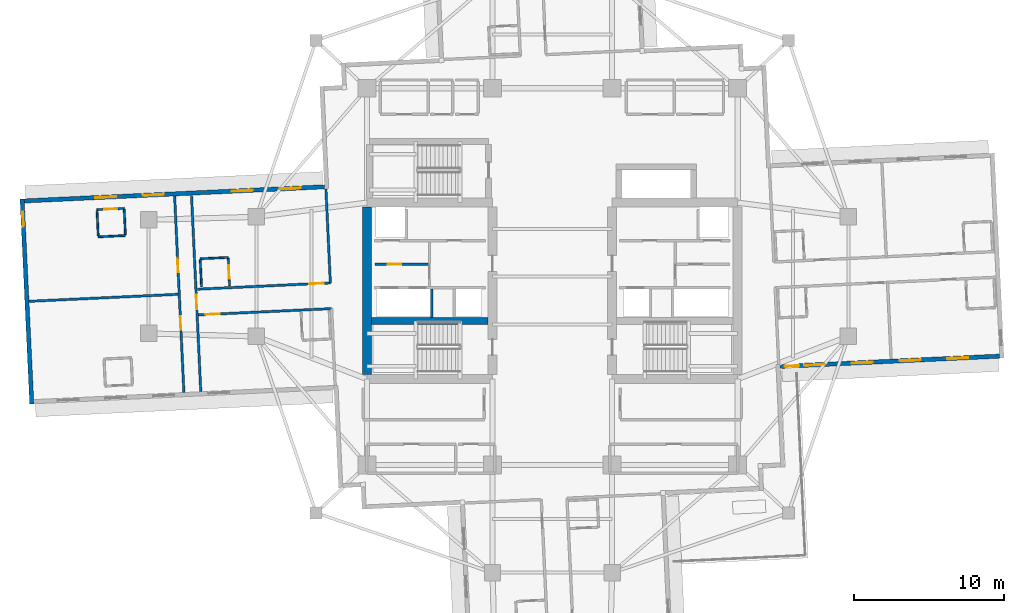
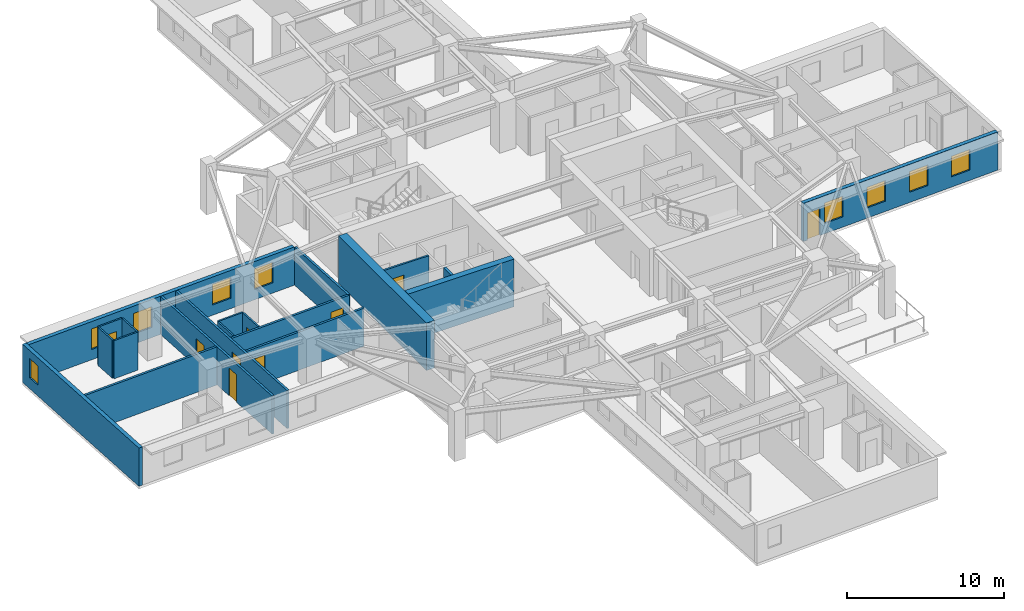
# One storey, part 5 of 14: 20 walls, 9 doors, 9 windows, 18 openings.
"""IFC4 building model written with IfcOpenShell, lengths in metres."""

from ifc_helpers import new_model, si_unit, direction, frame, frame_2d, origin, place, context, subcontext, project, spatial, rectangle, extrude, material, layer, layer_set, type_object, element, fill, save


model = new_model("IFC4")

# Units and contexts
model_context = context("Model", 3, precision=1e-05, world=origin(), true_north=direction((0.0, 1.0)))
body_context = subcontext(model_context, "Body", "Model", "MODEL_VIEW")
ifc_project = project(units=[si_unit("LENGTHUNIT", "METRE"), si_unit("AREAUNIT", "SQUARE_METRE"), si_unit("VOLUMEUNIT", "CUBIC_METRE"), si_unit("PLANEANGLEUNIT", "RADIAN"), si_unit("MASSUNIT", "GRAM", prefix="KILO")], contexts=[model_context])

# Site, building, storey
site_placement = place(None, origin())
site = spatial("IfcSite", under=ifc_project, at=site_placement, CompositionType="ELEMENT")
building_placement = place(site_placement, origin())
building = spatial("IfcBuilding", under=site, at=building_placement, Name="Qingluan Cross Belvedere", CompositionType="ELEMENT")
storey_placement = place(building_placement, frame((0.0, 0.0, 116.39990234375)))
storey = spatial("IfcBuildingStorey", under=building, at=storey_placement, Name="L29", CompositionType="ELEMENT", Elevation=116.39990234375)

# Walls
ifc_material_1 = material(Name="Concrete C50", Category="concrete")
ifc_layer_1 = layer(ifc_material_1, 0.449951171875, Name="CoreShearWall_450")
ifc_layer_set_1 = layer_set([ifc_layer_1], Name="Concrete C50")
wall_type_1 = type_object("IfcWallType", Name="CoreShearWall_450", PredefinedType="SHEAR", material=ifc_layer_set_1)
wall_1_placement = place(storey_placement, frame((-12.094970703125, -2.9599609375, 0.0), z_axis=(0.0, 0.0, 1.0), x_axis=(1.0, 0.0, 0.0)))
element("IfcWall", 1, at=wall_1_placement, inside=storey, type_object=wall_type_1, Name="Split core W shear wall L29-M", PredefinedType="SHEAR", context=body_context, shape_type="SweptSolid", body=[
    extrude(rectangle(XDim=7.7900390625, YDim=0.449951171875, at=frame_2d((3.89501953125, 0.0))), origin(), (0.0, 0.0, 1.0), 3.7001953125),
])
ifc_material_2 = material(Name="Concrete C60", Category="concrete")
ifc_layer_2 = layer(ifc_material_2, 0.60009765625, Name="CoreShearWall_600")
ifc_layer_set_2 = layer_set([ifc_layer_2], Name="Concrete C60")
wall_type_2 = type_object("IfcWallType", Name="CoreShearWall_600", PredefinedType="SHEAR", material=ifc_layer_set_2)
wall_2_placement = place(storey_placement, frame((-12.39990234375, -6.544921875, 0.0), z_axis=(0.0, 0.0, 1.0), x_axis=(0.0, 1.0, 0.0)))
element("IfcWall", 2, at=wall_2_placement, inside=storey, type_object=wall_type_2, Name="Split core W shear wall L29-W", PredefinedType="SHEAR", context=body_context, shape_type="SweptSolid", body=[
    extrude(rectangle(XDim=11.18994140625, YDim=0.60009765625, at=frame_2d((5.594970703125, 0.0))), origin(), (0.0, 0.0, 1.0), 3.7001953125),
])

# Wall, opening, door
ifc_material_3 = material(Name="Gypsum plasterboard on steel stud acoustic partition", Category="steel")
ifc_layer_3 = layer(ifc_material_3, 0.159912109375, Name="CorridorPartition_160")
ifc_layer_set_3 = layer_set([ifc_layer_3], Name="Gypsum plasterboard on steel stud acoustic partition")
wall_type_3 = type_object("IfcWallType", Name="CorridorPartition_160", PredefinedType="PARTITIONING", material=ifc_layer_set_3)
wall_3_placement = place(storey_placement, frame((-11.85009765625, 0.830078125, 0.0), z_axis=(0.0, 0.0, 1.0), x_axis=(1.0, 0.0, 0.0)))
wall_3 = element("IfcWall", 3, at=wall_3_placement, inside=storey, type_object=wall_type_3, Name="Partition L29:w", PredefinedType="PARTITIONING", context=body_context, shape_type="SweptSolid", body=[
    extrude(rectangle(XDim=3.552001953125, YDim=0.139892578125, at=frame_2d((1.77587890625, 0.0))), origin(), (0.0, 0.0, 1.0), 2.960205078125),
])
opening_1_placement = place(wall_3_placement, frame((0.85009765625, 0.0, 0.0)))
opening_1 = element("IfcOpeningElement", 4, at=opening_1_placement, cuts=wall_3, Name="Opening FD-B10", PredefinedType="OPENING", context=body_context, shape_type="SweptSolid", body=[
    extrude(rectangle(XDim=0.8798828125, YDim=2.10009765625, at=frame_2d((0.43994140625, 1.050048828125))), frame((0.0, 0.079833984375, 0.0), z_axis=(0.0, -1.0, 0.0), x_axis=(1.0, 0.0, 0.0)), (0.0, 0.0, 1.0), 0.159912109375),
])
ifc_material_4 = material(Name="Steel Class B service fire door", Category="steel")
door_type_1 = type_object("IfcDoorType", Name="RiserServiceFireDoor_FDB", OperationType="NOTDEFINED", PredefinedType="DOOR", material=ifc_material_4)
door_1_placement = place(opening_1_placement, origin())
door_1 = element("IfcDoor", 5, at=door_1_placement, inside=storey, type_object=door_type_1, Name="Service closet inner door L29", OperationType="SINGLE_SWING_RIGHT", OverallHeight=2.10009765625, OverallWidth=0.8798828125, PredefinedType="DOOR", context=body_context, shape_type="SweptSolid", body=[
    extrude(rectangle(XDim=0.8798828125, YDim=2.10009765625, at=frame_2d((0.43994140625, 1.050048828125))), frame((0.0, 0.02490234375, 0.0), z_axis=(0.0, -1.0, 0.0), x_axis=(1.0, 0.0, 0.0)), (0.0, 0.0, 1.0), 0.050048828125),
])
fill(opening_1, door_1)

wall_4_placement = place(storey_placement, frame((-14.8466796875, -0.419921875, 0.0), z_axis=(0.0, 0.0, 1.0), x_axis=(-0.99889018556, -0.047099864025, 0.0)))
wall_4 = element("IfcWall", 6, at=wall_4_placement, inside=storey, type_object=wall_type_3, Name="Partition L29:W:c0", PredefinedType="PARTITIONING", context=body_context, shape_type="SweptSolid", body=[
    extrude(rectangle(XDim=8.89990234375, YDim=0.159912109375, at=frame_2d((4.449951171875, 0.0))), origin(), (0.0, 0.0, 1.0), 2.960205078125),
])
opening_2_placement = place(wall_4_placement, frame((0.449951171875, 0.0, 0.0)))
opening_2 = element("IfcOpeningElement", 7, at=opening_2_placement, cuts=wall_4, Name="Opening GD-10", PredefinedType="OPENING", context=body_context, shape_type="SweptSolid", body=[
    extrude(rectangle(XDim=0.9599609375, YDim=2.14990234375, at=frame_2d((0.47998046875, 1.074951171875))), frame((0.0, 0.08984375, 0.0), z_axis=(0.0, -1.0, 0.0), x_axis=(1.0, 0.0, 0.0)), (0.0, 0.0, 1.0), 0.179931640625),
])
ifc_material_5 = material(Name="Timber oak fire-rated acoustic guestroom door", Category="wood")
door_type_2 = type_object("IfcDoorType", Name="GuestEntryDoor_FD60", OperationType="NOTDEFINED", PredefinedType="DOOR", material=ifc_material_5)
door_2_placement = place(opening_2_placement, origin())
door_2 = element("IfcDoor", 8, at=door_2_placement, inside=storey, type_object=door_type_2, Name="Guest entry fire door 2905", OperationType="SINGLE_SWING_RIGHT", OverallHeight=2.14990234375, OverallWidth=0.9599609375, PredefinedType="DOOR", context=body_context, shape_type="SweptSolid", body=[
    extrude(rectangle(XDim=0.9599609375, YDim=2.14990234375, at=frame_2d((0.47998046875, 1.074951171875))), frame((0.0, 0.02490234375, 0.0), z_axis=(0.0, -1.0, 0.0), x_axis=(1.0, 0.0, 0.0)), (0.0, 0.0, 1.0), 0.050048828125),
])
fill(opening_2, door_2)

# Wall
wall_5_placement = place(storey_placement, frame((-14.8466796875, -0.419921875, 0.0), z_axis=(0.0, 0.0, 1.0), x_axis=(-0.047104274115, 0.998889977605, 0.0)))
element("IfcWall", 9, at=wall_5_placement, inside=storey, type_object=wall_type_3, Name="Partition L29:W:s0", PredefinedType="PARTITIONING", context=body_context, shape_type="SweptSolid", body=[
    extrude(rectangle(XDim=6.292236328125, YDim=0.159912109375, at=frame_2d((3.14599609375, 0.0))), origin(), (0.0, 0.0, 1.0), 2.960205078125),
])

# Wall, opening, door
wall_6_placement = place(storey_placement, frame((-14.765625, -2.137939453125, 0.0), z_axis=(0.0, 0.0, 1.0), x_axis=(-0.99889018556, -0.047099864025, 0.0)))
wall_6 = element("IfcWall", 10, at=wall_6_placement, inside=storey, type_object=wall_type_3, Name="Partition L29:W:c1", PredefinedType="PARTITIONING", context=body_context, shape_type="SweptSolid", body=[
    extrude(rectangle(XDim=8.89990234375, YDim=0.159912109375, at=frame_2d((4.449951171875, 0.0))), origin(), (0.0, 0.0, 1.0), 2.960205078125),
])
opening_3_placement = place(wall_6_placement, frame((7.5, 0.0, 0.0)))
opening_3 = element("IfcOpeningElement", 11, at=opening_3_placement, cuts=wall_6, Name="Opening GD-10", PredefinedType="OPENING", context=body_context, shape_type="SweptSolid", body=[
    extrude(rectangle(XDim=0.9599609375, YDim=2.14990234375, at=frame_2d((0.47998046875, 1.074951171875))), frame((0.0, 0.08984375, 0.0), z_axis=(0.0, -1.0, 0.0), x_axis=(1.0, 0.0, 0.0)), (0.0, 0.0, 1.0), 0.179931640625),
])
door_3_placement = place(opening_3_placement, origin())
door_3 = element("IfcDoor", 12, at=door_3_placement, inside=storey, type_object=door_type_2, Name="Guest entry fire door 2906", OperationType="SINGLE_SWING_RIGHT", OverallHeight=2.14990234375, OverallWidth=0.9599609375, PredefinedType="DOOR", context=body_context, shape_type="SweptSolid", body=[
    extrude(rectangle(XDim=0.9599609375, YDim=2.14990234375, at=frame_2d((0.47998046875, 1.074951171875))), frame((0.0, 0.02490234375, 0.0), z_axis=(0.0, -1.0, 0.0), x_axis=(1.0, 0.0, 0.0)), (0.0, 0.0, 1.0), 0.050048828125),
])
fill(opening_3, door_3)

wall_7_placement = place(storey_placement, frame((-23.513916015625, -7.688232421875, 0.0), z_axis=(0.0, 0.0, 1.0), x_axis=(-0.047123017412, 0.998889093558, 0.0)))
wall_7 = element("IfcWall", 13, at=wall_7_placement, inside=storey, type_object=wall_type_3, Name="Partition L29:Wcap:in", PredefinedType="PARTITIONING", context=body_context, shape_type="SweptSolid", body=[
    extrude(rectangle(XDim=13.14404296875, YDim=0.159912109375, at=frame_2d((6.572021484375, 0.0))), origin(), (0.0, 0.0, 1.0), 2.960205078125),
])
opening_4_placement = place(wall_7_placement, frame((5.511962890625, 0.0, 0.0)))
opening_4 = element("IfcOpeningElement", 14, at=opening_4_placement, cuts=wall_7, Name="Opening GD-10", PredefinedType="OPENING", context=body_context, shape_type="SweptSolid", body=[
    extrude(rectangle(XDim=0.9599609375, YDim=2.14990234375, at=frame_2d((0.47998046875, 1.074951171875))), frame((0.0, 0.08984375, 0.0), z_axis=(0.0, -1.0, 0.0), x_axis=(1.0, 0.0, 0.0)), (0.0, 0.0, 1.0), 0.179931640625),
])
door_4_placement = place(opening_4_placement, origin())
door_4 = element("IfcDoor", 15, at=door_4_placement, inside=storey, type_object=door_type_2, Name="Corner gallery fire door L29W", OperationType="SINGLE_SWING_LEFT", OverallHeight=2.14990234375, OverallWidth=0.9599609375, PredefinedType="DOOR", context=body_context, shape_type="SweptSolid", body=[
    extrude(rectangle(XDim=0.9599609375, YDim=2.14990234375, at=frame_2d((0.47998046875, 1.074951171875))), frame((0.0, 0.02490234375, 0.0), z_axis=(0.0, -1.0, 0.0), x_axis=(1.0, 0.0, 0.0)), (0.0, 0.0, 1.0), 0.050048828125),
])
fill(opening_4, door_4)

# Wall, openings, doors
wall_8_placement = place(storey_placement, frame((-24.642578125, -7.741455078125, 0.0), z_axis=(0.0, 0.0, 1.0), x_axis=(-0.047123017412, 0.998889093558, 0.0)))
wall_8 = element("IfcWall", 16, at=wall_8_placement, inside=storey, type_object=wall_type_3, Name="Partition L29:Wcap:vw", PredefinedType="PARTITIONING", context=body_context, shape_type="SweptSolid", body=[
    extrude(rectangle(XDim=13.14404296875, YDim=0.159912109375, at=frame_2d((6.572021484375, 0.0))), origin(), (0.0, 0.0, 1.0), 2.960205078125),
])
opening_5_placement = place(wall_8_placement, frame((4.201904296875, 0.0, 0.0)))
opening_5 = element("IfcOpeningElement", 17, at=opening_5_placement, cuts=wall_8, Name="Opening GD-09", PredefinedType="OPENING", context=body_context, shape_type="SweptSolid", body=[
    extrude(rectangle(XDim=0.89990234375, YDim=2.14990234375, at=frame_2d((0.449951171875, 1.074951171875))), frame((0.0, 0.08984375, 0.0), z_axis=(0.0, -1.0, 0.0), x_axis=(1.0, 0.0, 0.0)), (0.0, 0.0, 1.0), 0.179931640625),
])
opening_6_placement = place(wall_8_placement, frame((8.0419921875, 0.0, 0.0)))
opening_6 = element("IfcOpeningElement", 18, at=opening_6_placement, cuts=wall_8, Name="Opening GD-09", PredefinedType="OPENING", context=body_context, shape_type="SweptSolid", body=[
    extrude(rectangle(XDim=0.89990234375, YDim=2.14990234375, at=frame_2d((0.449951171875, 1.074951171875))), frame((0.0, 0.08984375, 0.0), z_axis=(0.0, -1.0, 0.0), x_axis=(1.0, 0.0, 0.0)), (0.0, 0.0, 1.0), 0.179931640625),
])
ifc_material_6 = material(Name="Timber oak fire-rated corner room door", Category="wood")
door_type_3 = type_object("IfcDoorType", Name="CornerRoomDoor_FD60", OperationType="NOTDEFINED", PredefinedType="DOOR", material=ifc_material_6)
door_5_placement = place(opening_5_placement, origin())
door_5 = element("IfcDoor", 19, at=door_5_placement, inside=storey, type_object=door_type_3, Name="Deluxe corner room door L29W1", OperationType="SINGLE_SWING_RIGHT", OverallHeight=2.14990234375, OverallWidth=0.89990234375, PredefinedType="DOOR", context=body_context, shape_type="SweptSolid", body=[
    extrude(rectangle(XDim=0.89990234375, YDim=2.14990234375, at=frame_2d((0.449951171875, 1.074951171875))), frame((0.0, 0.02490234375, 0.0), z_axis=(0.0, -1.0, 0.0), x_axis=(1.0, 0.0, 0.0)), (0.0, 0.0, 1.0), 0.050048828125),
])
fill(opening_5, door_5)
door_6_placement = place(opening_6_placement, origin())
door_6 = element("IfcDoor", 20, at=door_6_placement, inside=storey, type_object=door_type_3, Name="Deluxe corner room door L29W2", OperationType="SINGLE_SWING_LEFT", OverallHeight=2.14990234375, OverallWidth=0.89990234375, PredefinedType="DOOR", context=body_context, shape_type="SweptSolid", body=[
    extrude(rectangle(XDim=0.89990234375, YDim=2.14990234375, at=frame_2d((0.449951171875, 1.074951171875))), frame((0.0, 0.02490234375, 0.0), z_axis=(0.0, -1.0, 0.0), x_axis=(1.0, 0.0, 0.0)), (0.0, 0.0, 1.0), 0.050048828125),
])
fill(opening_6, door_6)

# Wall
wall_9_placement = place(storey_placement, frame((-25.042236328125, -1.180908203125, 0.0), z_axis=(0.0, 0.0, 1.0), x_axis=(-0.99889004291, -0.047102889239, 0.0)))
element("IfcWall", 21, at=wall_9_placement, inside=storey, type_object=wall_type_3, Name="Partition L29:Wcap:mid", PredefinedType="PARTITIONING", context=body_context, shape_type="SweptSolid", body=[
    extrude(rectangle(XDim=9.9619140625, YDim=0.159912109375, at=frame_2d((4.98095703125, 0.0))), origin(), (0.0, 0.0, 1.0), 2.960205078125),
])

# Wall, opening, door
ifc_material_7 = material(Name="Moisture-resistant gypsum board lining")
ifc_layer_4 = layer(ifc_material_7, 0.1201171875, Name="EnsuiteWetPartition_120")
ifc_layer_set_4 = layer_set([ifc_layer_4], Name="Moisture-resistant gypsum board lining")
wall_type_4 = type_object("IfcWallType", Name="EnsuiteWetPartition_120", PredefinedType="PARTITIONING", material=ifc_layer_set_4)
wall_10_placement = place(storey_placement, frame((-21.585693359375, -0.597412109375, 0.0), z_axis=(0.0, 0.0, 1.0), x_axis=(-0.047220968666, 0.998884467853, 0.0)))
wall_10 = element("IfcWall", 22, at=wall_10_placement, inside=storey, type_object=wall_type_4, Name="Partition L29:W:bs0_0", PredefinedType="PARTITIONING", context=body_context, shape_type="SweptSolid", body=[
    extrude(rectangle(XDim=1.81982421875, YDim=0.1201171875, at=frame_2d((0.909912109375, 0.0))), origin(), (0.0, 0.0, 1.0), 2.960205078125),
])
opening_7_placement = place(wall_10_placement, frame((0.469970703125, 0.0, 0.0)))
opening_7 = element("IfcOpeningElement", 23, at=opening_7_placement, cuts=wall_10, Name="Opening BD-09", PredefinedType="OPENING", context=body_context, shape_type="SweptSolid", body=[
    extrude(rectangle(XDim=0.8798828125, YDim=2.10009765625, at=frame_2d((0.43994140625, 1.050048828125))), frame((0.0, 0.070068359375, 0.0), z_axis=(0.0, -1.0, 0.0), x_axis=(1.0, 0.0, 0.0)), (0.0, 0.0, 1.0), 0.14013671875),
])
ifc_material_8 = material(Name="Moisture-sealed timber en-suite door", Category="wood")
door_type_4 = type_object("IfcDoorType", Name="BathroomDoor_880", OperationType="NOTDEFINED", PredefinedType="DOOR", material=ifc_material_8)
door_7_placement = place(opening_7_placement, origin())
door_7 = element("IfcDoor", 24, at=door_7_placement, inside=storey, type_object=door_type_4, Name="Bathroom door 2905", OperationType="SINGLE_SWING_LEFT", OverallHeight=2.10009765625, OverallWidth=0.8798828125, PredefinedType="DOOR", context=body_context, shape_type="SweptSolid", body=[
    extrude(rectangle(XDim=0.8798828125, YDim=2.10009765625, at=frame_2d((0.43994140625, 1.050048828125))), frame((0.0, 0.02490234375, 0.0), z_axis=(0.0, -1.0, 0.0), x_axis=(1.0, 0.0, 0.0)), (0.0, 0.0, 1.0), 0.050048828125),
])
fill(opening_7, door_7)

# Walls
wall_11_placement = place(storey_placement, frame((-23.463623046875, -0.68603515625, 0.0), z_axis=(0.0, 0.0, 1.0), x_axis=(-0.047220968666, 0.998884467853, 0.0)))
element("IfcWall", 25, at=wall_11_placement, inside=storey, type_object=wall_type_4, Name="Partition L29:W:bw0_0", PredefinedType="PARTITIONING", context=body_context, shape_type="SweptSolid", body=[
    extrude(rectangle(XDim=1.81982421875, YDim=0.1201171875, at=frame_2d((0.909912109375, 0.0))), origin(), (0.0, 0.0, 1.0), 2.960205078125),
])
wall_12_placement = place(storey_placement, frame((-21.674560546875, 1.285400390625, 0.0), z_axis=(0.0, 0.0, 1.0), x_axis=(-0.998894425757, -0.04700985207, 0.0)))
element("IfcWall", 26, at=wall_12_placement, inside=storey, type_object=wall_type_4, Name="Partition L29:W:bn0_0", PredefinedType="PARTITIONING", context=body_context, shape_type="SweptSolid", body=[
    extrude(rectangle(XDim=1.880126953125, YDim=0.1201171875, at=frame_2d((0.93994140625, 0.0))), origin(), (0.0, 0.0, 1.0), 2.960205078125),
])
for number, where, z_axis, x_axis, name in (
    (27, (-28.553955078125, 2.80810546875, 0.0), (0.0, 0.0, 1.0), (-0.047107959116, 0.998889803826, 0.0), "Partition L29:Wcap:b2a"),
    (28, (-30.3720703125, 2.722412109375, 0.0), (0.0, 0.0, 1.0), (-0.046964654557, 0.998896551812, 0.0), "Partition L29:Wcap:b2b"),
):
    element("IfcWall", number, at=place(storey_placement, frame(where, z_axis=z_axis, x_axis=x_axis)), inside=storey, type_object=wall_type_4, Name=name, PredefinedType="PARTITIONING", context=body_context, shape_type="SweptSolid", body=[
        extrude(rectangle(XDim=1.699951171875, YDim=0.1201171875, at=frame_2d((0.85009765625, 0.0))), origin(), (0.0, 0.0, 1.0), 2.960205078125),
    ])
wall_13_placement = place(storey_placement, frame((-28.551025390625, 2.748046875, 0.0), z_axis=(0.0, 0.0, 1.0), x_axis=(-0.998891083954, -0.047080807099, 0.0)))
element("IfcWall", 29, at=wall_13_placement, inside=storey, type_object=wall_type_4, Name="Partition L29:Wcap:b2s", PredefinedType="PARTITIONING", context=body_context, shape_type="SweptSolid", body=[
    extrude(rectangle(XDim=1.820068359375, YDim=0.1201171875, at=frame_2d((0.91015625, 0.0))), origin(), (0.0, 0.0, 1.0), 2.960205078125),
])

# Wall, opening, door
wall_14_placement = place(storey_placement, frame((-28.636962890625, 4.566162109375, 0.0), z_axis=(0.0, 0.0, 1.0), x_axis=(-0.998890786574, -0.047087116047, 0.0)))
wall_14 = element("IfcWall", 30, at=wall_14_placement, inside=storey, type_object=wall_type_4, Name="Partition L29:Wcap:b2n", PredefinedType="PARTITIONING", context=body_context, shape_type="SweptSolid", body=[
    extrude(rectangle(XDim=1.81982421875, YDim=0.1201171875, at=frame_2d((0.909912109375, 0.0))), origin(), (0.0, 0.0, 1.0), 2.960205078125),
])
opening_8_placement = place(wall_14_placement, frame((0.449951171875, 0.0, 0.0)))
opening_8 = element("IfcOpeningElement", 31, at=opening_8_placement, cuts=wall_14, Name="Opening BD-09", PredefinedType="OPENING", context=body_context, shape_type="SweptSolid", body=[
    extrude(rectangle(XDim=0.8798828125, YDim=2.10009765625, at=frame_2d((0.43994140625, 1.050048828125))), frame((0.0, 0.070068359375, 0.0), z_axis=(0.0, -1.0, 0.0), x_axis=(1.0, 0.0, 0.0)), (0.0, 0.0, 1.0), 0.14013671875),
])
door_8_placement = place(opening_8_placement, origin())
door_8 = element("IfcDoor", 32, at=door_8_placement, inside=storey, type_object=door_type_4, Name="En-suite bathroom door L29W2", OperationType="SINGLE_SWING_RIGHT", OverallHeight=2.10009765625, OverallWidth=0.8798828125, PredefinedType="DOOR", context=body_context, shape_type="SweptSolid", body=[
    extrude(rectangle(XDim=0.8798828125, YDim=2.10009765625, at=frame_2d((0.43994140625, 1.050048828125))), frame((0.0, 0.02490234375, 0.0), z_axis=(0.0, -1.0, 0.0), x_axis=(1.0, 0.0, 0.0)), (0.0, 0.0, 1.0), 0.050048828125),
])
fill(opening_8, door_8)

# Wall, openings, windows, door
ifc_material_9 = material(Name="Precast concrete C45", Category="concrete")
ifc_layer_5 = layer(ifc_material_9, 0.280029296875, Name="PrecastFacadeWall_280")
ifc_layer_set_5 = layer_set([ifc_layer_5], Name="Precast concrete C45")
wall_type_5 = type_object("IfcWallType", Name="PrecastFacadeWall_280", PredefinedType="STANDARD", material=ifc_layer_set_5)
wall_15_placement = place(storey_placement, frame((15.239990234375, -6.0087890625, 0.0), z_axis=(0.0, 0.0, 1.0), x_axis=(0.998890124275, 0.047101163748, 0.0)))
wall_15 = element("IfcWall", 33, at=wall_15_placement, inside=storey, type_object=wall_type_5, Name="Facade wall L29-EA", PredefinedType="STANDARD", context=body_context, shape_type="SweptSolid", body=[
    extrude(rectangle(XDim=14.699951171875, YDim=0.280029296875, at=frame_2d((7.35009765625, 0.0))), origin(), (0.0, 0.0, 1.0), 2.97021484375),
])
opening_9_placement = place(wall_15_placement, frame((1.60009765625, 0.0, 0.800048828125)))
opening_9 = element("IfcOpeningElement", 34, at=opening_9_placement, cuts=wall_15, Name="Opening W-01", PredefinedType="OPENING", context=body_context, shape_type="SweptSolid", body=[
    extrude(rectangle(XDim=1.39990234375, YDim=1.60009765625, at=frame_2d((0.699951171875, 0.800048828125))), frame((0.0, 0.14990234375, 0.0), z_axis=(0.0, -1.0, 0.0), x_axis=(1.0, 0.0, 0.0)), (0.0, 0.0, 1.0), 0.300048828125),
])
opening_10_placement = place(wall_15_placement, frame((4.800048828125, 0.0, 0.800048828125)))
opening_10 = element("IfcOpeningElement", 35, at=opening_10_placement, cuts=wall_15, Name="Opening W-01", PredefinedType="OPENING", context=body_context, shape_type="SweptSolid", body=[
    extrude(rectangle(XDim=1.39990234375, YDim=1.60009765625, at=frame_2d((0.699951171875, 0.800048828125))), frame((0.0, 0.14990234375, 0.0), z_axis=(0.0, -1.0, 0.0), x_axis=(1.0, 0.0, 0.0)), (0.0, 0.0, 1.0), 0.300048828125),
])
opening_11_placement = place(wall_15_placement, frame((8.0, 0.0, 0.800048828125)))
opening_11 = element("IfcOpeningElement", 36, at=opening_11_placement, cuts=wall_15, Name="Opening W-01", PredefinedType="OPENING", context=body_context, shape_type="SweptSolid", body=[
    extrude(rectangle(XDim=1.39990234375, YDim=1.60009765625, at=frame_2d((0.699951171875, 0.800048828125))), frame((0.0, 0.14990234375, 0.0), z_axis=(0.0, -1.0, 0.0), x_axis=(1.0, 0.0, 0.0)), (0.0, 0.0, 1.0), 0.300048828125),
])
opening_12_placement = place(wall_15_placement, frame((11.199951171875, 0.0, 0.800048828125)))
opening_12 = element("IfcOpeningElement", 37, at=opening_12_placement, cuts=wall_15, Name="Opening W-01", PredefinedType="OPENING", context=body_context, shape_type="SweptSolid", body=[
    extrude(rectangle(XDim=1.39990234375, YDim=1.60009765625, at=frame_2d((0.699951171875, 0.800048828125))), frame((0.0, 0.14990234375, 0.0), z_axis=(0.0, -1.0, 0.0), x_axis=(1.0, 0.0, 0.0)), (0.0, 0.0, 1.0), 0.300048828125),
])
opening_13_placement = place(wall_15_placement, frame((0.300048828125, 0.0, 0.0)))
opening_13 = element("IfcOpeningElement", 38, at=opening_13_placement, cuts=wall_15, Name="Opening WD-10", PredefinedType="OPENING", context=body_context, shape_type="SweptSolid", body=[
    extrude(rectangle(XDim=0.9599609375, YDim=2.10009765625, at=frame_2d((0.47998046875, 1.050048828125))), frame((0.0, 0.14990234375, 0.0), z_axis=(0.0, -1.0, 0.0), x_axis=(1.0, 0.0, 0.0)), (0.0, 0.0, 1.0), 0.300048828125),
])
ifc_material_10 = material(Name="Thermally broken triple Low-E glass in aluminium frame", Category="aluminium")
window_type_1 = type_object("IfcWindowType", Name="TriRibbonWin_1400x1600", PartitioningType="SINGLE_PANEL", PredefinedType="WINDOW", material=ifc_material_10)
window_1_placement = place(opening_9_placement, origin())
window_1 = element("IfcWindow", 39, at=window_1_placement, inside=storey, type_object=window_type_1, Name="Ribbon window L29-EA-1", OverallHeight=1.60009765625, OverallWidth=1.39990234375, PartitioningType="SINGLE_PANEL", PredefinedType="WINDOW", context=body_context, shape_type="SweptSolid", body=[
    extrude(rectangle(XDim=1.39990234375, YDim=1.60009765625, at=frame_2d((0.699951171875, 0.800048828125))), frame((0.0, 0.030029296875, 0.0), z_axis=(0.0, -1.0, 0.0), x_axis=(1.0, 0.0, 0.0)), (0.0, 0.0, 1.0), 0.06005859375),
])
fill(opening_9, window_1)
window_2_placement = place(opening_10_placement, origin())
window_2 = element("IfcWindow", 40, at=window_2_placement, inside=storey, type_object=window_type_1, Name="Ribbon window L29-EA-2", OverallHeight=1.60009765625, OverallWidth=1.39990234375, PartitioningType="SINGLE_PANEL", PredefinedType="WINDOW", context=body_context, shape_type="SweptSolid", body=[
    extrude(rectangle(XDim=1.39990234375, YDim=1.60009765625, at=frame_2d((0.699951171875, 0.800048828125))), frame((0.0, 0.030029296875, 0.0), z_axis=(0.0, -1.0, 0.0), x_axis=(1.0, 0.0, 0.0)), (0.0, 0.0, 1.0), 0.06005859375),
])
fill(opening_10, window_2)
window_3_placement = place(opening_11_placement, origin())
window_3 = element("IfcWindow", 41, at=window_3_placement, inside=storey, type_object=window_type_1, Name="Ribbon window L29-EA-3", OverallHeight=1.60009765625, OverallWidth=1.39990234375, PartitioningType="SINGLE_PANEL", PredefinedType="WINDOW", context=body_context, shape_type="SweptSolid", body=[
    extrude(rectangle(XDim=1.39990234375, YDim=1.60009765625, at=frame_2d((0.699951171875, 0.800048828125))), frame((0.0, 0.030029296875, 0.0), z_axis=(0.0, -1.0, 0.0), x_axis=(1.0, 0.0, 0.0)), (0.0, 0.0, 1.0), 0.06005859375),
])
fill(opening_11, window_3)
window_4_placement = place(opening_12_placement, origin())
window_4 = element("IfcWindow", 42, at=window_4_placement, inside=storey, type_object=window_type_1, Name="Ribbon window L29-EA-4", OverallHeight=1.60009765625, OverallWidth=1.39990234375, PartitioningType="SINGLE_PANEL", PredefinedType="WINDOW", context=body_context, shape_type="SweptSolid", body=[
    extrude(rectangle(XDim=1.39990234375, YDim=1.60009765625, at=frame_2d((0.699951171875, 0.800048828125))), frame((0.0, 0.030029296875, 0.0), z_axis=(0.0, -1.0, 0.0), x_axis=(1.0, 0.0, 0.0)), (0.0, 0.0, 1.0), 0.06005859375),
])
fill(opening_12, window_4)
ifc_material_11 = material(Name="Thermally broken aluminium and Low-E glass", Category="aluminium")
door_type_5 = type_object("IfcDoorType", Name="WinterGardenDoor_096", OperationType="NOTDEFINED", PredefinedType="DOOR", material=ifc_material_11)
door_9_placement = place(opening_13_placement, origin())
door_9 = element("IfcDoor", 43, at=door_9_placement, inside=storey, type_object=door_type_5, Name="Outdoor terrace access door L29-spi", OperationType="SINGLE_SWING_LEFT", OverallHeight=2.10009765625, OverallWidth=0.9599609375, PredefinedType="DOOR", context=body_context, shape_type="SweptSolid", body=[
    extrude(rectangle(XDim=0.9599609375, YDim=2.10009765625, at=frame_2d((0.47998046875, 1.050048828125))), frame((0.0, 0.02490234375, 0.0), z_axis=(0.0, -1.0, 0.0), x_axis=(1.0, 0.0, 0.0)), (0.0, 0.0, 1.0), 0.050048828125),
])
fill(opening_13, door_9)

# Wall, openings, windows
wall_16_placement = place(storey_placement, frame((-15.239990234375, 6.0087890625, 0.0), z_axis=(0.0, 0.0, 1.0), x_axis=(-0.998890015344, -0.047103473814, 0.0)))
wall_16 = element("IfcWall", 44, at=wall_16_placement, inside=storey, type_object=wall_type_5, Name="Facade wall L29-WA", PredefinedType="STANDARD", context=body_context, shape_type="SweptSolid", body=[
    extrude(rectangle(XDim=20.099853515625, YDim=0.280029296875, at=frame_2d((10.0498046875, 0.0))), origin(), (0.0, 0.0, 1.0), 2.97021484375),
])
opening_14_placement = place(wall_16_placement, frame((1.60009765625, 0.0, 0.800048828125)))
opening_14 = element("IfcOpeningElement", 45, at=opening_14_placement, cuts=wall_16, Name="Opening W-01", PredefinedType="OPENING", context=body_context, shape_type="SweptSolid", body=[
    extrude(rectangle(XDim=1.39990234375, YDim=1.60009765625, at=frame_2d((0.699951171875, 0.800048828125))), frame((0.0, 0.14990234375, 0.0), z_axis=(0.0, -1.0, 0.0), x_axis=(1.0, 0.0, 0.0)), (0.0, 0.0, 1.0), 0.300048828125),
])
opening_15_placement = place(wall_16_placement, frame((4.800048828125, 0.0, 0.800048828125)))
opening_15 = element("IfcOpeningElement", 46, at=opening_15_placement, cuts=wall_16, Name="Opening W-01", PredefinedType="OPENING", context=body_context, shape_type="SweptSolid", body=[
    extrude(rectangle(XDim=1.39990234375, YDim=1.60009765625, at=frame_2d((0.699951171875, 0.800048828125))), frame((0.0, 0.14990234375, 0.0), z_axis=(0.0, -1.0, 0.0), x_axis=(1.0, 0.0, 0.0)), (0.0, 0.0, 1.0), 0.300048828125),
])
opening_16_placement = place(wall_16_placement, frame((10.75, 0.0, 0.800048828125)))
opening_16 = element("IfcOpeningElement", 47, at=opening_16_placement, cuts=wall_16, Name="Opening W-01", PredefinedType="OPENING", context=body_context, shape_type="SweptSolid", body=[
    extrude(rectangle(XDim=1.39990234375, YDim=1.60009765625, at=frame_2d((0.699951171875, 0.800048828125))), frame((0.0, 0.14990234375, 0.0), z_axis=(0.0, -1.0, 0.0), x_axis=(1.0, 0.0, 0.0)), (0.0, 0.0, 1.0), 0.300048828125),
])
opening_17_placement = place(wall_16_placement, frame((13.949951171875, 0.0, 0.800048828125)))
opening_17 = element("IfcOpeningElement", 48, at=opening_17_placement, cuts=wall_16, Name="Opening W-01", PredefinedType="OPENING", context=body_context, shape_type="SweptSolid", body=[
    extrude(rectangle(XDim=1.39990234375, YDim=1.60009765625, at=frame_2d((0.699951171875, 0.800048828125))), frame((0.0, 0.14990234375, 0.0), z_axis=(0.0, -1.0, 0.0), x_axis=(1.0, 0.0, 0.0)), (0.0, 0.0, 1.0), 0.300048828125),
])
window_5_placement = place(opening_14_placement, origin())
window_5 = element("IfcWindow", 49, at=window_5_placement, inside=storey, type_object=window_type_1, Name="Ribbon window L29-WA-1", OverallHeight=1.60009765625, OverallWidth=1.39990234375, PartitioningType="SINGLE_PANEL", PredefinedType="WINDOW", context=body_context, shape_type="SweptSolid", body=[
    extrude(rectangle(XDim=1.39990234375, YDim=1.60009765625, at=frame_2d((0.699951171875, 0.800048828125))), frame((0.0, 0.030029296875, 0.0), z_axis=(0.0, -1.0, 0.0), x_axis=(1.0, 0.0, 0.0)), (0.0, 0.0, 1.0), 0.06005859375),
])
fill(opening_14, window_5)
window_6_placement = place(opening_15_placement, origin())
window_6 = element("IfcWindow", 50, at=window_6_placement, inside=storey, type_object=window_type_1, Name="Ribbon window L29-WA-2", OverallHeight=1.60009765625, OverallWidth=1.39990234375, PartitioningType="SINGLE_PANEL", PredefinedType="WINDOW", context=body_context, shape_type="SweptSolid", body=[
    extrude(rectangle(XDim=1.39990234375, YDim=1.60009765625, at=frame_2d((0.699951171875, 0.800048828125))), frame((0.0, 0.030029296875, 0.0), z_axis=(0.0, -1.0, 0.0), x_axis=(1.0, 0.0, 0.0)), (0.0, 0.0, 1.0), 0.06005859375),
])
fill(opening_15, window_6)
window_7_placement = place(opening_16_placement, origin())
window_7 = element("IfcWindow", 51, at=window_7_placement, inside=storey, type_object=window_type_1, Name="Ribbon window L29-WA-3", OverallHeight=1.60009765625, OverallWidth=1.39990234375, PartitioningType="SINGLE_PANEL", PredefinedType="WINDOW", context=body_context, shape_type="SweptSolid", body=[
    extrude(rectangle(XDim=1.39990234375, YDim=1.60009765625, at=frame_2d((0.699951171875, 0.800048828125))), frame((0.0, 0.030029296875, 0.0), z_axis=(0.0, -1.0, 0.0), x_axis=(1.0, 0.0, 0.0)), (0.0, 0.0, 1.0), 0.06005859375),
])
fill(opening_16, window_7)
window_8_placement = place(opening_17_placement, origin())
window_8 = element("IfcWindow", 52, at=window_8_placement, inside=storey, type_object=window_type_1, Name="Ribbon window L29-WA-4", OverallHeight=1.60009765625, OverallWidth=1.39990234375, PartitioningType="SINGLE_PANEL", PredefinedType="WINDOW", context=body_context, shape_type="SweptSolid", body=[
    extrude(rectangle(XDim=1.39990234375, YDim=1.60009765625, at=frame_2d((0.699951171875, 0.800048828125))), frame((0.0, 0.030029296875, 0.0), z_axis=(0.0, -1.0, 0.0), x_axis=(1.0, 0.0, 0.0)), (0.0, 0.0, 1.0), 0.06005859375),
])
fill(opening_17, window_8)

# Wall, opening, window
wall_17_placement = place(storey_placement, frame((-35.464111328125, 5.1953125, 0.0), z_axis=(0.0, 0.0, 1.0), x_axis=(0.047101845086, -0.998890092147, 0.0)))
wall_17 = element("IfcWall", 53, at=wall_17_placement, inside=storey, type_object=wall_type_5, Name="Arm tip precast facade wall L29-W", PredefinedType="STANDARD", context=body_context, shape_type="SweptSolid", body=[
    extrude(rectangle(XDim=13.719970703125, YDim=0.280029296875, at=frame_2d((6.85986328125, 0.0))), origin(), (0.0, 0.0, 1.0), 2.97021484375),
])
opening_18_placement = place(wall_17_placement, frame((0.85009765625, 0.0, 0.85009765625)))
opening_18 = element("IfcOpeningElement", 54, at=opening_18_placement, cuts=wall_17, Name="Opening W-03", PredefinedType="OPENING", context=body_context, shape_type="SweptSolid", body=[
    extrude(rectangle(XDim=1.0, YDim=1.5, at=frame_2d((0.5, 0.75))), frame((0.0, 0.14990234375, 0.0), z_axis=(0.0, -1.0, 0.0), x_axis=(1.0, 0.0, 0.0)), (0.0, 0.0, 1.0), 0.300048828125),
])
ifc_material_12 = material(Name="Thermally broken triple Low-E glass in aluminium frame", Category="aluminium")
window_type_2 = type_object("IfcWindowType", Name="TriApexWin_1000x1500", PartitioningType="SINGLE_PANEL", PredefinedType="WINDOW", material=ifc_material_12)
window_9_placement = place(opening_18_placement, origin())
window_9 = element("IfcWindow", 55, at=window_9_placement, inside=storey, type_object=window_type_2, Name="Arm tip triangular window L29-W", OverallHeight=1.5, OverallWidth=1.0, PartitioningType="SINGLE_PANEL", PredefinedType="WINDOW", context=body_context, shape_type="SweptSolid", body=[
    extrude(rectangle(XDim=1.0, YDim=1.5, at=frame_2d((0.5, 0.75))), frame((0.0, 0.030029296875, 0.0), z_axis=(0.0, -1.0, 0.0), x_axis=(1.0, 0.0, 0.0)), (0.0, 0.0, 1.0), 0.06005859375),
])
fill(opening_18, window_9)

# Wall
ifc_material_13 = material(Name="Concrete C40", Category="concrete")
ifc_layer_6 = layer(ifc_material_13, 0.219970703125, Name="ShaftEnclosureWall_250")
ifc_layer_set_6 = layer_set([ifc_layer_6], Name="Concrete C40")
wall_type_6 = type_object("IfcWallType", Name="ShaftEnclosureWall_250", PredefinedType="SOLIDWALL", material=ifc_layer_set_6)
wall_18_placement = place(storey_placement, frame((-8.06005859375, -2.72998046875, 0.0), z_axis=(0.0, 0.0, 1.0), x_axis=(0.0, 1.0, 0.0)))
element("IfcWall", 56, at=wall_18_placement, inside=storey, type_object=wall_type_6, Name="Hoistway enclosure divider LP6E L29", PredefinedType="SOLIDWALL", context=body_context, shape_type="SweptSolid", body=[
    extrude(rectangle(XDim=1.889892578125, YDim=0.179931640625, at=frame_2d((0.94482421875, 0.0))), origin(), (0.0, 0.0, 1.0), 2.960205078125),
])

save(model, "model.ifc")
